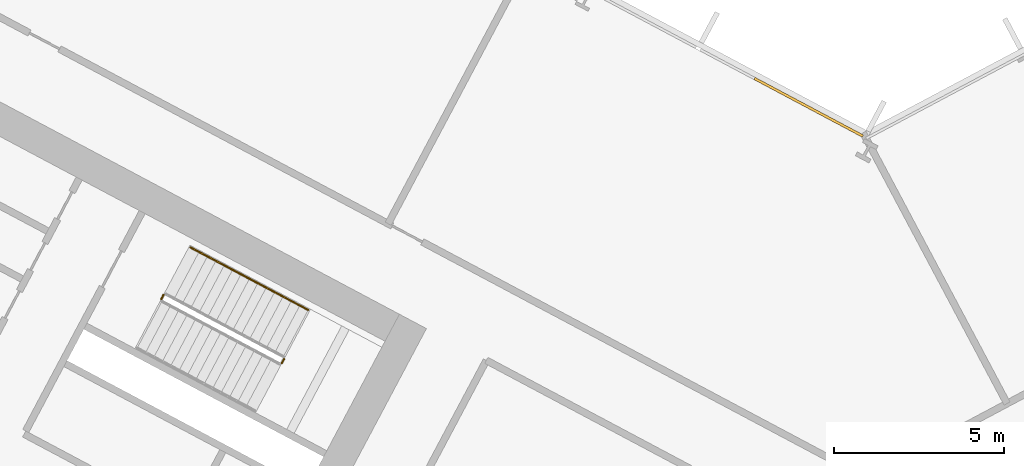
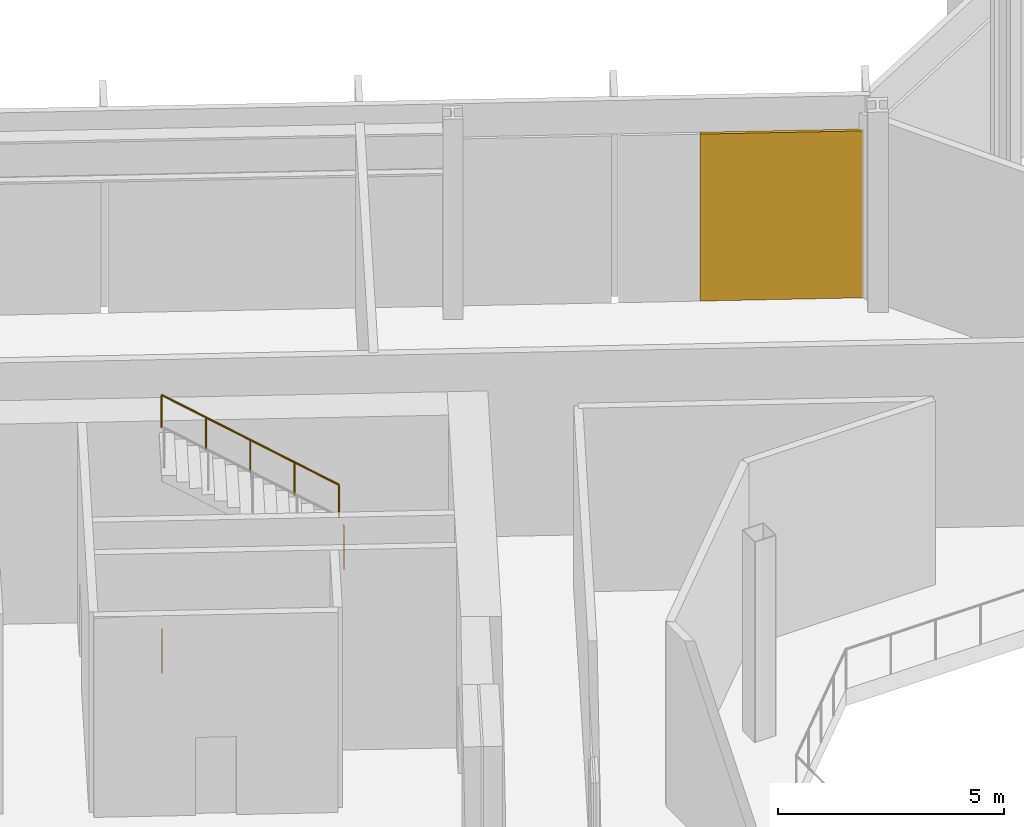
# One storey, part 25 of 31: 3 railings, 1 covering, 1 element without a shape of its own.
"""IFC4 building model written with IfcOpenShell, lengths in metres."""

from ifc_helpers import new_model, si_unit, direction, frame, origin, origin_2d, place, context, subcontext, project, spatial, polyline, rectangle, outline, extrude, material, layer, layer_set, type_object, element, aggregate, save


model = new_model("IFC4")

# Units and contexts
model_context = context("Model", 3, precision=1e-05, world=origin(), true_north=direction((0.0, 1.0)))
body_context = subcontext(model_context, "Body", "Model", "MODEL_VIEW")
ifc_project = project(units=[si_unit("LENGTHUNIT", "METRE"), si_unit("AREAUNIT", "SQUARE_METRE"), si_unit("VOLUMEUNIT", "CUBIC_METRE"), si_unit("PLANEANGLEUNIT", "RADIAN"), si_unit("MASSUNIT", "GRAM", prefix="KILO")], contexts=[model_context])

# Site, building, storey
site_placement = place(None, origin())
site = spatial("IfcSite", under=ifc_project, at=site_placement, CompositionType="ELEMENT")
building_placement = place(site_placement, origin())
building = spatial("IfcBuilding", under=site, at=building_placement, Name="Cormorant Relay Tower", CompositionType="ELEMENT")
storey_placement = place(building_placement, frame((0.0, 0.0, 33.800048828125)))
storey = spatial("IfcBuildingStorey", under=building, at=storey_placement, Name="L06", CompositionType="ELEMENT", Elevation=33.800048828125)

# Curtain wall, covering
ifc_material_1 = material(Name="Aluminium 6063-T6 anodised bronze", Category="aluminium")
ifc_layer_1 = layer(ifc_material_1, 0.235107421875)
ifc_layer_set_1 = layer_set([ifc_layer_1], Name="CW6 data hall curtain wall with mineral wool panels")
curtain_wall_type = type_object("IfcCurtainWallType", Name="CW6 data hall curtain wall with mineral wool panels", PredefinedType="NOTDEFINED", material=ifc_layer_set_1)
curtain_wall_placement = place(storey_placement, origin())
curtain_wall = element("IfcCurtainWall", 1, at=curtain_wall_placement, inside=storey, type_object=curtain_wall_type, Name="CW6 curtain wall 7", PredefinedType="NOTDEFINED")
ifc_material_2 = material(Name="Mineral wool cored anodised bronze aluminium cassette panel", Category="aluminium")
ifc_layer_2 = layer(ifc_material_2, 0.074951171875)
ifc_layer_set_2 = layer_set([ifc_layer_2], Name="CW6 mineral wool cassette panel 75")
covering_type = type_object("IfcCoveringType", Name="CW6 mineral wool cassette panel 75", PredefinedType="CLADDING", material=ifc_layer_set_2)
covering_placement = place(storey_placement, frame((-1.710205078125, 24.73583984375, 0.0), z_axis=(0.0, 0.0, 1.0), x_axis=(-0.882947592859, 0.469471562786, 0.0)))
covering = element("IfcCovering", 2, at=covering_placement, type_object=covering_type, Name="CW6 panel S00", PredefinedType="CLADDING", context=body_context, shape_type="SweptSolid", body=[
    extrude(rectangle(XDim=3.614013671875, YDim=0.074951171875, at=origin_2d()), origin(), (0.0, 0.0, 1.0), 4.5),
])
aggregate(curtain_wall, [covering])

# Railings
ifc_material_3 = material(Name="Steel ASTM A572 Grade 50 (Fy 345 MPa)", Category="steel")
railing_type_1 = type_object("IfcRailingType", Name="Stair guard 1100", PredefinedType="GUARDRAIL", material=ifc_material_3)
railing_1_placement = place(storey_placement, frame((-17.2216796875, 17.1982421875, 2.699951171875)))
element("IfcRailing", 3, at=railing_1_placement, inside=storey, type_object=railing_type_1, Name="L06 A1 stair guard 2", PredefinedType="GUARDRAIL", context=body_context, shape_type="SweptSolid", body=[
    extrude(outline(polyline([(0.022216796875, 0.00927734375), (0.00927734375, 0.022216796875), (-0.00927734375, 0.022216796875), (-0.022216796875, 0.00927734375), (-0.022216796875, -0.00927734375), (-0.00927734375, -0.022216796875), (0.00927734375, -0.022216796875), (0.022216796875, -0.00927734375), (0.022216796875, 0.00927734375)])), frame((0.0, 0.0, 1.076171875), z_axis=(0.469234640946, 0.883073525669, 0.0), x_axis=(-0.883073525669, 0.469234640946, 0.0)), (0.0, 0.0, 1.0), 0.14990234375),
    extrude(outline(polyline([(0.019287109375, 0.008056640625), (0.008056640625, 0.019287109375), (-0.008056640625, 0.019287109375), (-0.019287109375, 0.008056640625), (-0.019287109375, -0.008056640625), (-0.008056640625, -0.019287109375), (0.008056640625, -0.019287109375), (0.019287109375, -0.008056640625), (0.019287109375, 0.008056640625)])), origin(), (0.0, 0.0, 1.0), 1.052001953125),
    extrude(outline(polyline([(0.019287109375, 0.008056640625), (0.008056640625, 0.019287109375), (-0.008056640625, 0.019287109375), (-0.019287109375, 0.008056640625), (-0.019287109375, -0.008056640625), (-0.008056640625, -0.019287109375), (0.008056640625, -0.019287109375), (0.019287109375, -0.008056640625), (0.019287109375, 0.008056640625)])), frame((0.0703125, 0.13232421875, 0.0)), (0.0, 0.0, 1.0), 1.052001953125),
])
railing_2_placement = place(storey_placement, frame((-20.771240234375, 19.08544921875, 0.0)))
element("IfcRailing", 4, at=railing_2_placement, inside=storey, type_object=railing_type_1, Name="L06 A1 stair guard 4", PredefinedType="GUARDRAIL", context=body_context, shape_type="SweptSolid", body=[
    extrude(outline(polyline([(0.022216796875, 0.00927734375), (0.00927734375, 0.022216796875), (-0.00927734375, 0.022216796875), (-0.022216796875, 0.00927734375), (-0.022216796875, -0.00927734375), (-0.00927734375, -0.022216796875), (0.00927734375, -0.022216796875), (0.022216796875, -0.00927734375), (0.022216796875, 0.00927734375)])), frame((0.0, 0.0, 1.076171875), z_axis=(0.469828648786, 0.882757634224, 0.0), x_axis=(-0.882757634224, 0.469828648786, 0.0)), (0.0, 0.0, 1.0), 0.150146484375),
    extrude(outline(polyline([(0.019287109375, 0.008056640625), (0.008056640625, 0.019287109375), (-0.008056640625, 0.019287109375), (-0.019287109375, 0.008056640625), (-0.019287109375, -0.008056640625), (-0.008056640625, -0.019287109375), (0.008056640625, -0.019287109375), (0.019287109375, -0.008056640625), (0.019287109375, 0.008056640625)])), origin(), (0.0, 0.0, 1.0), 1.052001953125),
    extrude(outline(polyline([(0.019287109375, 0.008056640625), (0.008056640625, 0.019287109375), (-0.008056640625, 0.019287109375), (-0.019287109375, 0.008056640625), (-0.019287109375, -0.008056640625), (-0.008056640625, -0.019287109375), (0.008056640625, -0.019287109375), (0.019287109375, -0.008056640625), (0.019287109375, 0.008056640625)])), frame((0.070556640625, 0.132568359375, 0.0)), (0.0, 0.0, 1.0), 1.052001953125),
])
ifc_material_4 = material(Name="Steel ASTM A572 Grade 50 (Fy 345 MPa)", Category="steel")
railing_type_2 = type_object("IfcRailingType", Name="Stair handrail 900", PredefinedType="HANDRAIL", material=ifc_material_4)
railing_3_placement = place(storey_placement, frame((-16.4443359375, 18.766845703125, 2.8798828125)))
element("IfcRailing", 5, at=railing_3_placement, inside=storey, type_object=railing_type_2, Name="L06 A1 stair handrail 2", PredefinedType="HANDRAIL", context=body_context, shape_type="SweptSolid", body=[
    extrude(outline(polyline([(0.022216796875, 0.00927734375), (0.00927734375, 0.022216796875), (-0.00927734375, 0.022216796875), (-0.022216796875, 0.00927734375), (-0.022216796875, -0.00927734375), (-0.00927734375, -0.022216796875), (0.00927734375, -0.022216796875), (0.022216796875, -0.00927734375), (0.022216796875, 0.00927734375)])), frame((0.0, 0.0, 0.8759765625), z_axis=(-0.74271721126, 0.394907409077, 0.540758062681), x_axis=(-0.469469396681, -0.882948744594, 0.0)), (0.0, 0.0, 1.0), 4.66015625),
    extrude(outline(polyline([(0.019287109375, 0.008056640625), (0.008056640625, 0.019287109375), (-0.008056640625, 0.019287109375), (-0.019287109375, 0.008056640625), (-0.019287109375, -0.008056640625), (-0.008056640625, -0.019287109375), (0.008056640625, -0.019287109375), (0.019287109375, -0.008056640625), (0.019287109375, 0.008056640625)])), origin(), (0.0, 0.0, 1.0), 0.851806640625),
    extrude(outline(polyline([(0.019287109375, 0.008056640625), (0.008056640625, 0.019287109375), (-0.008056640625, 0.019287109375), (-0.019287109375, 0.008056640625), (-0.019287109375, -0.008056640625), (-0.008056640625, -0.019287109375), (0.008056640625, -0.019287109375), (0.019287109375, -0.008056640625), (0.019287109375, 0.008056640625)])), frame((-0.865234375, 0.4599609375, 0.6298828125)), (0.0, 0.0, 1.0), 0.851806640625),
    extrude(outline(polyline([(0.019287109375, 0.008056640625), (0.008056640625, 0.019287109375), (-0.008056640625, 0.019287109375), (-0.019287109375, 0.008056640625), (-0.019287109375, -0.008056640625), (-0.008056640625, -0.019287109375), (0.008056640625, -0.019287109375), (0.019287109375, -0.008056640625), (0.019287109375, 0.008056640625)])), frame((-1.73046875, 0.920166015625, 1.260009765625)), (0.0, 0.0, 1.0), 0.851806640625),
    extrude(outline(polyline([(0.019287109375, 0.008056640625), (0.008056640625, 0.019287109375), (-0.008056640625, 0.019287109375), (-0.019287109375, 0.008056640625), (-0.019287109375, -0.008056640625), (-0.008056640625, -0.019287109375), (0.008056640625, -0.019287109375), (0.019287109375, -0.008056640625), (0.019287109375, 0.008056640625)])), frame((-2.595947265625, 1.38037109375, 1.89013671875)), (0.0, 0.0, 1.0), 0.851806640625),
    extrude(outline(polyline([(0.019287109375, 0.008056640625), (0.008056640625, 0.019287109375), (-0.008056640625, 0.019287109375), (-0.019287109375, 0.008056640625), (-0.019287109375, -0.008056640625), (-0.008056640625, -0.019287109375), (0.008056640625, -0.019287109375), (0.019287109375, -0.008056640625), (0.019287109375, 0.008056640625)])), frame((-3.461181640625, 1.84033203125, 2.52001953125)), (0.0, 0.0, 1.0), 0.851806640625),
])

save(model, "model.ifc")
